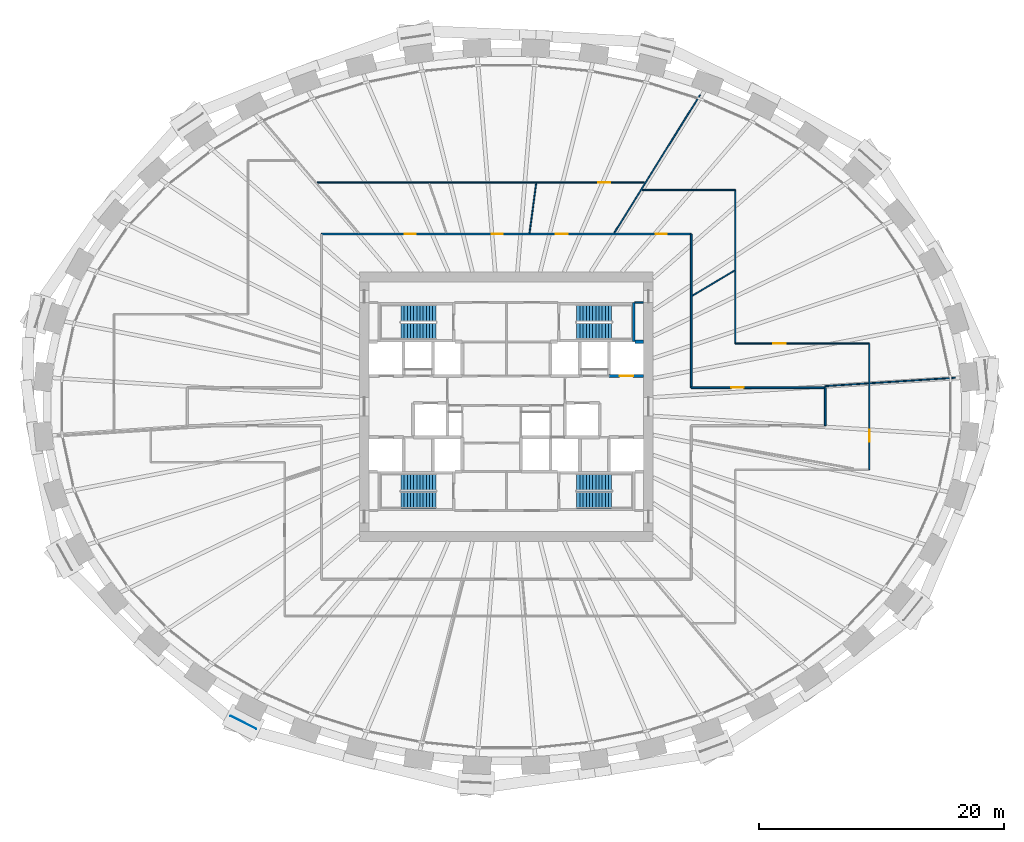
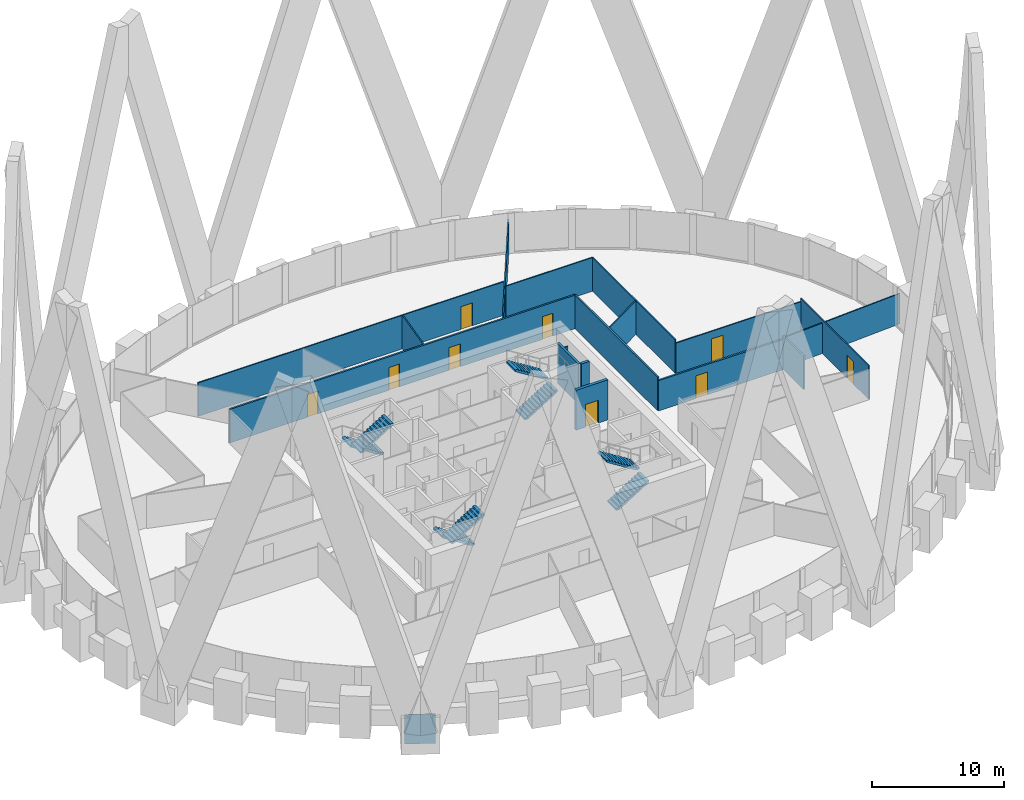
# One storey, part 10 of 12: 17 walls, 9 doors, 8 stair flights, 1 discrete accessory, 9 openings, 4 elements without a shape of their own.
"""IFC4 building model written with IfcOpenShell, lengths in metres."""

from ifc_helpers import new_model, si_unit, direction, frame, frame_2d, origin, origin_2d, place, context, subcontext, project, spatial, polyline, rectangle, outline, extrude, source, transform, mapped, material, layer, layer_set, type_object, element, fill, aggregate, save


model = new_model("IFC4")

# Units and contexts
model_context = context("Model", 3, precision=1e-05, world=origin(), true_north=direction((0.0, 1.0)))
body_context = subcontext(model_context, "Body", "Model", "MODEL_VIEW")
ifc_project = project(units=[si_unit("LENGTHUNIT", "METRE"), si_unit("AREAUNIT", "SQUARE_METRE"), si_unit("VOLUMEUNIT", "CUBIC_METRE"), si_unit("PLANEANGLEUNIT", "RADIAN"), si_unit("MASSUNIT", "GRAM", prefix="KILO")], contexts=[model_context])

# Site, building, storey
site_placement = place(None, origin())
site = spatial("IfcSite", under=ifc_project, at=site_placement, CompositionType="ELEMENT")
building_placement = place(site_placement, origin())
building = spatial("IfcBuilding", under=site, at=building_placement, Name="Embergate Tower", CompositionType="ELEMENT")
storey_placement = place(building_placement, frame((0.0, 0.0, 159.89990234375)))
storey = spatial("IfcBuildingStorey", under=building, at=storey_placement, Name="L35", CompositionType="ELEMENT", Elevation=159.89990234375)

# Wall, opening, door
ifc_material_1 = material(Name="Corridor wall dry-lined 150")
ifc_layer_1 = layer(ifc_material_1, 0.14990234375)
ifc_layer_set_1 = layer_set([ifc_layer_1], Name="Corridor wall dry-lined 150")
wall_type_1 = type_object("IfcWallType", Name="Corridor wall dry-lined 150", PredefinedType="PARTITIONING", material=ifc_layer_set_1)
shared_shape_1 = source(origin(), body_context, "Body", "SweptSolid", [
    extrude(rectangle(XDim=10.949951171875, YDim=0.14990234375, at=frame_2d((5.47509765625, 0.0))), origin(), (0.0, 0.0, 1.0), 2.800048828125),
])
wall_1_placement = place(storey_placement, frame((26.050048828125, 1.550048828125, 0.0), z_axis=(0.0, 0.0, 1.0), x_axis=(-1.0, 0.0, 0.0)))
wall_1 = element("IfcWall", 1, at=wall_1_placement, inside=storey, type_object=wall_type_1, Name="IP-2 wall", PredefinedType="PARTITIONING", context=body_context, shape_type="MappedRepresentation", body=[
    mapped(shared_shape_1, transform((0.0, 0.0, 0.0))),
])
shared_shape_2 = source(origin(), body_context, "Body", "SweptSolid", [
    extrude(rectangle(XDim=1.0, YDim=2.10009765625, at=frame_2d((0.5, 1.050048828125))), frame((0.0, 0.0849609375, 0.0), z_axis=(0.0, -1.0, 0.0), x_axis=(1.0, 0.0, 0.0)), (0.0, 0.0, 1.0), 0.169921875),
])
opening_1_placement = place(wall_1_placement, frame((6.6708984375, 0.0, 0.0)))
opening_1 = element("IfcOpeningElement", 2, at=opening_1_placement, cuts=wall_1, Name="Opening ID-2", PredefinedType="OPENING", context=body_context, shape_type="MappedRepresentation", body=[
    mapped(shared_shape_2, transform((0.0, 0.0, 0.0))),
])
ifc_material_2 = material(Name="Interior door 1000")
door_type_1 = type_object("IfcDoorType", Name="Interior door 1000", OperationType="SINGLE_SWING_LEFT", PredefinedType="DOOR", material=ifc_material_2)
shared_shape_3 = source(origin(), body_context, "Body", "SweptSolid", [
    extrude(rectangle(XDim=1.0, YDim=2.10009765625, at=frame_2d((0.5, 1.050048828125))), frame((0.0, 0.02490234375, 0.0), z_axis=(0.0, -1.0, 0.0), x_axis=(1.0, 0.0, 0.0)), (0.0, 0.0, 1.0), 0.050048828125),
])
door_1_placement = place(opening_1_placement, origin())
door_1 = element("IfcDoor", 3, at=door_1_placement, inside=storey, type_object=door_type_1, Name="ID-2 door", OperationType="SINGLE_SWING_RIGHT", OverallHeight=2.10009765625, OverallWidth=1.0, PredefinedType="DOOR", context=body_context, shape_type="MappedRepresentation", body=[
    mapped(shared_shape_3, transform((0.0, 0.0, 0.0))),
])
fill(opening_1, door_1)

ifc_material_3 = material(Name="Partition dry-lined 100")
ifc_layer_2 = layer(ifc_material_3, 0.10009765625)
ifc_layer_set_2 = layer_set([ifc_layer_2], Name="Partition dry-lined 100")
wall_type_2 = type_object("IfcWallType", Name="Partition dry-lined 100", PredefinedType="PARTITIONING", material=ifc_layer_set_2)
shared_shape_4 = source(origin(), body_context, "Body", "SweptSolid", [
    extrude(rectangle(XDim=10.949951171875, YDim=0.10009765625, at=frame_2d((5.47509765625, 0.0))), origin(), (0.0, 0.0, 1.0), 2.800048828125),
])
wall_2_placement = place(storey_placement, frame((29.64990234375, 5.14990234375, 0.0), z_axis=(0.0, 0.0, 1.0), x_axis=(-1.0, 0.0, 0.0)))
wall_2 = element("IfcWall", 4, at=wall_2_placement, inside=storey, type_object=wall_type_2, Name="IP-1 wall", PredefinedType="PARTITIONING", context=body_context, shape_type="MappedRepresentation", body=[
    mapped(shared_shape_4, transform((0.0, 0.0, 0.0))),
])
shared_shape_5 = source(origin(), body_context, "Body", "SweptSolid", [
    extrude(rectangle(XDim=1.0, YDim=2.10009765625, at=frame_2d((0.5, 1.050048828125))), frame((0.0, 0.06005859375, 0.0), z_axis=(0.0, -1.0, 0.0), x_axis=(1.0, 0.0, 0.0)), (0.0, 0.0, 1.0), 0.1201171875),
])
opening_2_placement = place(wall_2_placement, frame((6.844970703125, 0.0, 0.0)))
opening_2 = element("IfcOpeningElement", 5, at=opening_2_placement, cuts=wall_2, Name="Opening ID-2", PredefinedType="OPENING", context=body_context, shape_type="MappedRepresentation", body=[
    mapped(shared_shape_5, transform((0.0, 0.0, 0.0))),
])
door_2_placement = place(opening_2_placement, origin())
door_2 = element("IfcDoor", 6, at=door_2_placement, inside=storey, type_object=door_type_1, Name="ID-2 door", OperationType="SINGLE_SWING_RIGHT", OverallHeight=2.10009765625, OverallWidth=1.0, PredefinedType="DOOR", context=body_context, shape_type="MappedRepresentation", body=[
    mapped(shared_shape_3, transform((0.0, 0.0, 0.0))),
])
fill(opening_2, door_2)

# Wall
ifc_material_4 = material(Name="Core partition blockwork 120")
ifc_layer_3 = layer(ifc_material_4, 0.1201171875)
ifc_layer_set_3 = layer_set([ifc_layer_3], Name="Core partition blockwork 120")
wall_type_3 = type_object("IfcWallType", Name="Core partition blockwork 120", PredefinedType="PARTITIONING", material=ifc_layer_set_3)
shared_shape_6 = source(origin(), body_context, "Body", "SweptSolid", [
    extrude(rectangle(XDim=0.697998046875, YDim=0.1201171875, at=frame_2d((0.34912109375, 0.0))), origin(), (0.0, 0.0, 1.0), 3.10009765625),
])
wall_3_placement = place(storey_placement, frame((10.501953125, 8.5, 0.0), z_axis=(0.0, 0.0, 1.0), x_axis=(1.0, 0.0, 0.0)))
element("IfcWall", 7, at=wall_3_placement, inside=storey, type_object=wall_type_3, Name="IP-3 wall", PredefinedType="PARTITIONING", context=body_context, shape_type="MappedRepresentation", body=[
    mapped(shared_shape_6, transform((0.0, 0.0, 0.0))),
])

# Wall, opening, door
ifc_material_5 = material(Name="Concrete C50", Category="concrete")
ifc_layer_4 = layer(ifc_material_5, 0.25)
ifc_layer_set_4 = layer_set([ifc_layer_4], Name="Concrete C50")
wall_type_4 = type_object("IfcWallType", Name="Hoistway wall reinforced concrete 250", PredefinedType="SHEAR", material=ifc_layer_set_4)
shared_shape_7 = source(origin(), body_context, "Body", "SweptSolid", [
    extrude(rectangle(XDim=2.800048828125, YDim=0.25, at=frame_2d((1.39990234375, 0.0))), origin(), (0.0, 0.0, 1.0), 3.7001953125),
])
wall_4_placement = place(storey_placement, frame((8.39990234375, 2.5, 0.0), z_axis=(0.0, 0.0, 1.0), x_axis=(1.0, 0.0, 0.0)))
wall_4 = element("IfcWall", 8, at=wall_4_placement, inside=storey, type_object=wall_type_4, Name="HW-1 wall", PredefinedType="SHEAR", context=body_context, shape_type="MappedRepresentation", body=[
    mapped(shared_shape_7, transform((0.0, 0.0, 0.0))),
])
shared_shape_8 = source(origin(), body_context, "Body", "SweptSolid", [
    extrude(rectangle(XDim=1.10009765625, YDim=2.10009765625, at=frame_2d((0.550048828125, 1.050048828125))), frame((0.0, 0.135009765625, 0.0), z_axis=(0.0, -1.0, 0.0), x_axis=(1.0, 0.0, 0.0)), (0.0, 0.0, 1.0), 0.27001953125),
])
opening_3_placement = place(wall_4_placement, frame((0.85009765625, 0.0, 0.0)))
opening_3 = element("IfcOpeningElement", 9, at=opening_3_placement, cuts=wall_4, Name="Opening LD", PredefinedType="OPENING", context=body_context, shape_type="MappedRepresentation", body=[
    mapped(shared_shape_8, transform((0.0, 0.0, 0.0))),
])
ifc_material_6 = material(Name="Landing door sliding 1100")
door_type_2 = type_object("IfcDoorType", Name="Landing door sliding 1100", OperationType="SLIDING_TO_LEFT", PredefinedType="DOOR", material=ifc_material_6)
shared_shape_9 = source(origin(), body_context, "Body", "SweptSolid", [
    extrude(rectangle(XDim=1.10009765625, YDim=2.10009765625, at=frame_2d((0.550048828125, 1.050048828125))), frame((0.0, 0.02490234375, 0.0), z_axis=(0.0, -1.0, 0.0), x_axis=(1.0, 0.0, 0.0)), (0.0, 0.0, 1.0), 0.050048828125),
])
door_3_placement = place(opening_3_placement, origin())
door_3 = element("IfcDoor", 10, at=door_3_placement, inside=storey, type_object=door_type_2, Name="LD door", OperationType="SLIDING_TO_LEFT", OverallHeight=2.10009765625, OverallWidth=1.10009765625, PredefinedType="DOOR", context=body_context, shape_type="MappedRepresentation", body=[
    mapped(shared_shape_9, transform((0.0, 0.0, 0.0))),
])
fill(opening_3, door_3)

# Walls
ifc_layer_5 = layer(ifc_material_5, 0.199951171875)
ifc_layer_set_5 = layer_set([ifc_layer_5], Name="Concrete C50")
wall_type_5 = type_object("IfcWallType", Name="Stair enclosure wall reinforced concrete 250", PredefinedType="SHEAR", material=ifc_layer_set_5)
shared_shape_10 = source(origin(), body_context, "Body", "SweptSolid", [
    extrude(rectangle(XDim=3.196044921875, YDim=0.199951171875, at=frame_2d((1.59814453125, 0.0))), origin(), (0.0, 0.0, 1.0), 3.7001953125),
])
wall_5_placement = place(storey_placement, frame((10.39990234375, 5.302001953125, 0.0), z_axis=(0.0, 0.0, 1.0), x_axis=(0.0, 1.0, 0.0)))
element("IfcWall", 11, at=wall_5_placement, inside=storey, type_object=wall_type_5, Name="SE-1 wall", PredefinedType="SHEAR", context=body_context, shape_type="MappedRepresentation", body=[
    mapped(shared_shape_10, transform((0.0, 0.0, 0.0))),
])
shared_shape_11 = source(origin(), body_context, "Body", "SweptSolid", [
    extrude(rectangle(XDim=0.697998046875, YDim=0.25, at=frame_2d((0.34912109375, 0.0))), origin(), (0.0, 0.0, 1.0), 3.7001953125),
])
wall_6_placement = place(storey_placement, frame((11.199951171875, 5.300048828125, 0.0), z_axis=(0.0, 0.0, 1.0), x_axis=(-1.0, 0.0, 0.0)))
element("IfcWall", 12, at=wall_6_placement, inside=storey, type_object=wall_type_4, Name="HW-1 wall", PredefinedType="SHEAR", context=body_context, shape_type="MappedRepresentation", body=[
    mapped(shared_shape_11, transform((0.0, 0.0, 0.0))),
])
shared_shape_12 = source(origin(), body_context, "Body", "SweptSolid", [
    extrude(rectangle(XDim=12.550048828125, YDim=0.14990234375, at=frame_2d((6.27490234375, 0.0))), origin(), (0.0, 0.0, 1.0), 3.10009765625),
])
wall_7_placement = place(storey_placement, frame((15.10009765625, 1.550048828125, 0.0), z_axis=(0.0, 0.0, 1.0), x_axis=(0.0, 1.0, 0.0)))
element("IfcWall", 13, at=wall_7_placement, inside=storey, type_object=wall_type_1, Name="IP-2 wall", PredefinedType="PARTITIONING", context=body_context, shape_type="MappedRepresentation", body=[
    mapped(shared_shape_12, transform((0.0, 0.0, 0.0))),
])

# Wall, openings, doors
shared_shape_13 = source(origin(), body_context, "Body", "SweptSolid", [
    extrude(rectangle(XDim=30.2001953125, YDim=0.14990234375, at=frame_2d((15.10009765625, 0.0))), origin(), (0.0, 0.0, 1.0), 3.10009765625),
])
wall_8_placement = place(storey_placement, frame((-15.10009765625, 14.10009765625, 0.0), z_axis=(0.0, 0.0, 1.0), x_axis=(1.0, 0.0, 0.0)))
wall_8 = element("IfcWall", 14, at=wall_8_placement, inside=storey, type_object=wall_type_1, Name="IP-2 wall", PredefinedType="PARTITIONING", context=body_context, shape_type="MappedRepresentation", body=[
    mapped(shared_shape_13, transform((0.0, 0.0, 0.0))),
])
shared_shape_14 = source(origin(), body_context, "Body", "SweptSolid", [
    extrude(rectangle(XDim=0.89990234375, YDim=2.10009765625, at=frame_2d((0.449951171875, 1.050048828125))), frame((0.0, 0.0849609375, 0.0), z_axis=(0.0, -1.0, 0.0), x_axis=(1.0, 0.0, 0.0)), (0.0, 0.0, 1.0), 0.169921875),
])
opening_4_placement = place(wall_8_placement, frame((27.306884765625, 0.0, 0.0)))
opening_4 = element("IfcOpeningElement", 15, at=opening_4_placement, cuts=wall_8, Name="Opening IF-1c", PredefinedType="OPENING", context=body_context, shape_type="MappedRepresentation", body=[
    mapped(shared_shape_14, transform((0.0, 0.0, 0.0))),
])
opening_5_placement = place(wall_8_placement, frame((19.132080078125, 0.0, 0.0)))
opening_5 = element("IfcOpeningElement", 16, at=opening_5_placement, cuts=wall_8, Name="Opening ID-2", PredefinedType="OPENING", context=body_context, shape_type="MappedRepresentation", body=[
    mapped(shared_shape_2, transform((0.0, 0.0, 0.0))),
])
opening_6_placement = place(wall_8_placement, frame((13.89599609375, 0.0, 0.0)))
opening_6 = element("IfcOpeningElement", 17, at=opening_6_placement, cuts=wall_8, Name="Opening IF-1c", PredefinedType="OPENING", context=body_context, shape_type="MappedRepresentation", body=[
    mapped(shared_shape_14, transform((0.0, 0.0, 0.0))),
])
opening_7_placement = place(wall_8_placement, frame((6.791015625, 0.0, 0.0)))
opening_7 = element("IfcOpeningElement", 18, at=opening_7_placement, cuts=wall_8, Name="Opening IF-1c", PredefinedType="OPENING", context=body_context, shape_type="MappedRepresentation", body=[
    mapped(shared_shape_14, transform((0.0, 0.0, 0.0))),
])
ifc_material_7 = material(Name="Escape fire door 900")
door_type_3 = type_object("IfcDoorType", Name="Escape fire door 900", OperationType="SINGLE_SWING_LEFT", PredefinedType="DOOR", material=ifc_material_7)
shared_shape_15 = source(origin(), body_context, "Body", "SweptSolid", [
    extrude(rectangle(XDim=0.89990234375, YDim=2.10009765625, at=frame_2d((0.449951171875, 1.050048828125))), frame((0.0, 0.02490234375, 0.0), z_axis=(0.0, -1.0, 0.0), x_axis=(1.0, 0.0, 0.0)), (0.0, 0.0, 1.0), 0.050048828125),
])
door_4_placement = place(opening_4_placement, origin())
door_4 = element("IfcDoor", 19, at=door_4_placement, inside=storey, type_object=door_type_3, Name="IF-1 door", OperationType="SINGLE_SWING_RIGHT", OverallHeight=2.10009765625, OverallWidth=0.89990234375, PredefinedType="DOOR", context=body_context, shape_type="MappedRepresentation", body=[
    mapped(shared_shape_15, transform((0.0, 0.0, 0.0))),
])
fill(opening_4, door_4)
door_5_placement = place(opening_6_placement, origin())
door_5 = element("IfcDoor", 20, at=door_5_placement, inside=storey, type_object=door_type_3, Name="IF-1 door", OperationType="SINGLE_SWING_RIGHT", OverallHeight=2.10009765625, OverallWidth=0.89990234375, PredefinedType="DOOR", context=body_context, shape_type="MappedRepresentation", body=[
    mapped(shared_shape_15, transform((0.0, 0.0, 0.0))),
])
fill(opening_6, door_5)
door_6_placement = place(opening_7_placement, origin())
door_6 = element("IfcDoor", 21, at=door_6_placement, inside=storey, type_object=door_type_3, Name="IF-1 door", OperationType="SINGLE_SWING_LEFT", OverallHeight=2.10009765625, OverallWidth=0.89990234375, PredefinedType="DOOR", context=body_context, shape_type="MappedRepresentation", body=[
    mapped(shared_shape_15, transform((0.0, 0.0, 0.0))),
])
fill(opening_7, door_6)
door_7_placement = place(opening_5_placement, origin())
door_7 = element("IfcDoor", 22, at=door_7_placement, inside=storey, type_object=door_type_1, Name="ID-2 door", OperationType="SINGLE_SWING_RIGHT", OverallHeight=2.10009765625, OverallWidth=1.0, PredefinedType="DOOR", context=body_context, shape_type="MappedRepresentation", body=[
    mapped(shared_shape_3, transform((0.0, 0.0, 0.0))),
])
fill(opening_5, door_7)

# Walls
shared_shape_16 = source(origin(), body_context, "Body", "SweptSolid", [
    extrude(rectangle(XDim=3.10009765625, YDim=0.14990234375, at=frame_2d((1.550048828125, 0.0))), origin(), (0.0, 0.0, 1.0), 3.10009765625),
])
wall_9_placement = place(storey_placement, frame((26.050048828125, -1.550048828125, 0.0), z_axis=(0.0, 0.0, 1.0), x_axis=(0.0, 1.0, 0.0)))
element("IfcWall", 23, at=wall_9_placement, inside=storey, type_object=wall_type_1, Name="IP-2 wall", PredefinedType="PARTITIONING", context=body_context, shape_type="MappedRepresentation", body=[
    mapped(shared_shape_16, transform((0.0, 0.0, 0.0))),
])
shared_shape_17 = source(origin(), body_context, "Body", "SweptSolid", [
    extrude(rectangle(XDim=10.660888671875, YDim=0.10009765625, at=frame_2d((5.33056640625, 0.0))), origin(), (0.0, 0.0, 1.0), 2.800048828125),
])
wall_10_placement = place(storey_placement, frame((26.027099609375, 1.675048828125, 0.0), z_axis=(0.0, 0.0, 1.0), x_axis=(0.997933274946, 0.064258686222, 0.0)))
element("IfcWall", 24, at=wall_10_placement, inside=storey, type_object=wall_type_2, Name="IP-1 wall", PredefinedType="PARTITIONING", context=body_context, shape_type="MappedRepresentation", body=[
    mapped(shared_shape_17, transform((0.0, 0.0, 0.0))),
])
shared_shape_18 = source(origin(), body_context, "Body", "SweptSolid", [
    extrude(rectangle(XDim=12.550048828125, YDim=0.10009765625, at=frame_2d((6.27490234375, 0.0))), origin(), (0.0, 0.0, 1.0), 3.10009765625),
])
wall_11_placement = place(storey_placement, frame((18.699951171875, 5.14990234375, 0.0), z_axis=(0.0, 0.0, 1.0), x_axis=(0.0, 1.0, 0.0)))
element("IfcWall", 25, at=wall_11_placement, inside=storey, type_object=wall_type_2, Name="IP-1 wall", PredefinedType="PARTITIONING", context=body_context, shape_type="MappedRepresentation", body=[
    mapped(shared_shape_18, transform((0.0, 0.0, 0.0))),
])

# Wall, opening, door
shared_shape_19 = source(origin(), body_context, "Body", "SweptSolid", [
    extrude(rectangle(XDim=10.2998046875, YDim=0.10009765625, at=frame_2d((5.14990234375, 0.0))), origin(), (0.0, 0.0, 1.0), 3.10009765625),
])
wall_12_placement = place(storey_placement, frame((29.64990234375, 5.14990234375, 0.0), z_axis=(0.0, 0.0, 1.0), x_axis=(0.0, -1.0, 0.0)))
wall_12 = element("IfcWall", 26, at=wall_12_placement, inside=storey, type_object=wall_type_2, Name="IP-1 wall", PredefinedType="PARTITIONING", context=body_context, shape_type="MappedRepresentation", body=[
    mapped(shared_shape_19, transform((0.0, 0.0, 0.0))),
])
opening_8_placement = place(wall_12_placement, frame((7.034912109375, 0.0, 0.0)))
opening_8 = element("IfcOpeningElement", 27, at=opening_8_placement, cuts=wall_12, Name="Opening ID-2", PredefinedType="OPENING", context=body_context, shape_type="MappedRepresentation", body=[
    mapped(shared_shape_5, transform((0.0, 0.0, 0.0))),
])
door_8_placement = place(opening_8_placement, origin())
door_8 = element("IfcDoor", 28, at=door_8_placement, inside=storey, type_object=door_type_1, Name="ID-2 door", OperationType="SINGLE_SWING_RIGHT", OverallHeight=2.10009765625, OverallWidth=1.0, PredefinedType="DOOR", context=body_context, shape_type="MappedRepresentation", body=[
    mapped(shared_shape_3, transform((0.0, 0.0, 0.0))),
])
fill(opening_8, door_8)

# Walls
shared_shape_20 = source(origin(), body_context, "Body", "SweptSolid", [
    extrude(rectangle(XDim=3.986328125, YDim=0.10009765625, at=frame_2d((1.9931640625, 0.0))), origin(), (0.0, 0.0, 1.0), 3.10009765625),
])
wall_13_placement = place(storey_placement, frame((15.200927734375, 9.071044921875, 0.0), z_axis=(0.0, 0.0, 1.0), x_axis=(0.858695630282, 0.512485916425, 0.0)))
element("IfcWall", 29, at=wall_13_placement, inside=storey, type_object=wall_type_2, Name="IP-1 wall", PredefinedType="PARTITIONING", context=body_context, shape_type="MappedRepresentation", body=[
    mapped(shared_shape_20, transform((0.0, 0.0, 0.0))),
])
shared_shape_21 = source(origin(), body_context, "Body", "SweptSolid", [
    extrude(rectangle(XDim=7.61083984375, YDim=0.10009765625, at=frame_2d((3.805419921875, 0.0))), origin(), (0.0, 0.0, 1.0), 3.10009765625),
])
wall_14_placement = place(storey_placement, frame((11.089111328125, 17.699951171875, 0.0), z_axis=(0.0, 0.0, 1.0), x_axis=(1.0, 0.0, 0.0)))
element("IfcWall", 30, at=wall_14_placement, inside=storey, type_object=wall_type_2, Name="IP-1 wall", PredefinedType="PARTITIONING", context=body_context, shape_type="MappedRepresentation", body=[
    mapped(shared_shape_21, transform((0.0, 0.0, 0.0))),
])
shared_shape_22 = source(origin(), body_context, "Body", "SweptSolid", [
    extrude(rectangle(XDim=4.09716796875, YDim=0.10009765625, at=frame_2d((2.048583984375, 0.0))), origin(), (0.0, 0.0, 1.0), 3.10009765625),
])
wall_15_placement = place(storey_placement, frame((1.89697265625, 14.181884765625, 0.0), z_axis=(0.0, 0.0, 1.0), x_axis=(0.1325227982, 0.991179957403, 0.0)))
element("IfcWall", 31, at=wall_15_placement, inside=storey, type_object=wall_type_2, Name="IP-1 wall", PredefinedType="PARTITIONING", context=body_context, shape_type="MappedRepresentation", body=[
    mapped(shared_shape_22, transform((0.0, 0.0, 0.0))),
])

# Wall, opening, door
shared_shape_23 = source(origin(), body_context, "Body", "SweptSolid", [
    extrude(rectangle(XDim=26.718994140625, YDim=0.10009765625, at=frame_2d((13.359375, 0.0))), origin(), (0.0, 0.0, 1.0), 3.10009765625),
])
wall_16_placement = place(storey_placement, frame((-15.43701171875, 18.300048828125, 0.0), z_axis=(0.0, 0.0, 1.0), x_axis=(1.0, 0.0, 0.0)))
wall_16 = element("IfcWall", 32, at=wall_16_placement, inside=storey, type_object=wall_type_2, Name="IP-1 wall", PredefinedType="PARTITIONING", context=body_context, shape_type="MappedRepresentation", body=[
    mapped(shared_shape_23, transform((0.0, 0.0, 0.0))),
])
opening_9_placement = place(wall_16_placement, frame((22.9453125, 0.0, 0.0)))
opening_9 = element("IfcOpeningElement", 33, at=opening_9_placement, cuts=wall_16, Name="Opening ID-2", PredefinedType="OPENING", context=body_context, shape_type="MappedRepresentation", body=[
    mapped(shared_shape_5, transform((0.0, 0.0, 0.0))),
])
door_9_placement = place(opening_9_placement, origin())
door_9 = element("IfcDoor", 34, at=door_9_placement, inside=storey, type_object=door_type_1, Name="ID-2 door", OperationType="SINGLE_SWING_LEFT", OverallHeight=2.10009765625, OverallWidth=1.0, PredefinedType="DOOR", context=body_context, shape_type="MappedRepresentation", body=[
    mapped(shared_shape_3, transform((0.0, 0.0, 0.0))),
])
fill(opening_9, door_9)

# Wall
shared_shape_24 = source(origin(), body_context, "Body", "SweptSolid", [
    extrude(rectangle(XDim=13.261962890625, YDim=0.10009765625, at=frame_2d((6.630859375, 0.0))), origin(), (0.0, 0.0, 1.0), 2.900146484375),
])
wall_17_placement = place(storey_placement, frame((8.824951171875, 14.200927734375, 0.0), z_axis=(0.0, 0.0, 1.0), x_axis=(0.527822867261, 0.849354472995, 0.0)))
element("IfcWall", 35, at=wall_17_placement, inside=storey, type_object=wall_type_2, Name="IP-1 wall", PredefinedType="PARTITIONING", context=body_context, shape_type="MappedRepresentation", body=[
    mapped(shared_shape_24, transform((0.0, 0.0, 0.0))),
])

# Stair, stair flights
ifc_material_8 = material(Name="Exit stair")
stair_type = type_object("IfcStairType", Name="Exit stair", PredefinedType="HALF_TURN_STAIR", material=ifc_material_8)
stair_1_placement = place(storey_placement, origin())
stair_1 = element("IfcStair", 36, at=stair_1_placement, inside=storey, type_object=stair_type, Name="L35 Exit stair 1", PredefinedType="HALF_TURN_STAIR")
ifc_material_9 = material(Name="Concrete C40", Category="concrete")
stair_flight_type = type_object("IfcStairFlightType", Name="Stair flight reinforced concrete", PredefinedType="STRAIGHT", material=ifc_material_9)
shared_shape_25 = source(origin(), body_context, "Body", "SweptSolid", [
    extrude(outline(polyline([(0.0, 0.0), (0.0, 0.16259765625), (0.260009765625, 0.16259765625), (0.260009765625, 0.324951171875), (0.52001953125, 0.324951171875), (0.52001953125, 0.487548828125), (0.780029296875, 0.487548828125), (0.780029296875, 0.64990234375), (1.0400390625, 0.64990234375), (1.0400390625, 0.8125), (1.300048828125, 0.8125), (1.300048828125, 0.97509765625), (1.56005859375, 0.97509765625), (1.56005859375, 1.137451171875), (1.820068359375, 1.137451171875), (1.820068359375, 1.300048828125), (2.080078125, 1.300048828125), (2.080078125, 1.46240234375), (2.340087890625, 1.46240234375), (2.340087890625, 1.625), (2.60009765625, 1.625), (2.60009765625, 1.78759765625), (2.860107421875, 1.78759765625), (2.860107421875, 1.949951171875), (2.860107421875, 1.61083984375), (0.28271484375, 0.0), (0.0, 0.0)])), frame((0.0, 0.675048828125, 0.0), z_axis=(0.0, -1.0, 0.0), x_axis=(1.0, 0.0, 0.0)), (0.0, 0.0, 1.0), 1.35009765625),
])
stair_flight_1_placement = place(storey_placement, frame((-5.75, 7.625, 0.0), z_axis=(0.0, 0.0, 1.0), x_axis=(-1.0, 0.0, 0.0)))
stair_flight_1 = element("IfcStairFlight", 37, at=stair_flight_1_placement, type_object=stair_flight_type, Name="ST1 flight 1", NumberOfRisers=12, NumberOfTreads=11, PredefinedType="STRAIGHT", RiserHeight=0.1625, TreadLength=0.26, context=body_context, shape_type="MappedRepresentation", body=[
    mapped(shared_shape_25, transform((0.0, 0.0, 0.0))),
])
stair_flight_2_placement = place(storey_placement, frame((-8.610107421875, 6.175048828125, 1.9501953125), z_axis=(0.0, 0.0, 1.0), x_axis=(1.0, 0.0, 0.0)))
stair_flight_2 = element("IfcStairFlight", 38, at=stair_flight_2_placement, type_object=stair_flight_type, Name="ST1 flight 2", NumberOfRisers=12, NumberOfTreads=11, PredefinedType="STRAIGHT", RiserHeight=0.1625, TreadLength=0.26, context=body_context, shape_type="MappedRepresentation", body=[
    mapped(shared_shape_25, transform((0.0, 0.0, 0.0))),
])
aggregate(stair_1, [stair_flight_1, stair_flight_2])

stair_2_placement = place(storey_placement, origin())
stair_2 = element("IfcStair", 39, at=stair_2_placement, inside=storey, type_object=stair_type, Name="L35 Exit stair 2", PredefinedType="HALF_TURN_STAIR")
stair_flight_3_placement = place(storey_placement, frame((5.75, 6.175048828125, 0.0), z_axis=(0.0, 0.0, 1.0), x_axis=(1.0, 0.0, 0.0)))
stair_flight_3 = element("IfcStairFlight", 40, at=stair_flight_3_placement, type_object=stair_flight_type, Name="ST2 flight 1", NumberOfRisers=12, NumberOfTreads=11, PredefinedType="STRAIGHT", RiserHeight=0.1625, TreadLength=0.26, context=body_context, shape_type="MappedRepresentation", body=[
    mapped(shared_shape_25, transform((0.0, 0.0, 0.0))),
])
stair_flight_4_placement = place(storey_placement, frame((8.610107421875, 7.625, 1.9501953125), z_axis=(0.0, 0.0, 1.0), x_axis=(-1.0, 0.0, 0.0)))
stair_flight_4 = element("IfcStairFlight", 41, at=stair_flight_4_placement, type_object=stair_flight_type, Name="ST2 flight 2", NumberOfRisers=12, NumberOfTreads=11, PredefinedType="STRAIGHT", RiserHeight=0.1625, TreadLength=0.26, context=body_context, shape_type="MappedRepresentation", body=[
    mapped(shared_shape_25, transform((0.0, 0.0, 0.0))),
])
aggregate(stair_2, [stair_flight_3, stair_flight_4])

stair_3_placement = place(storey_placement, origin())
stair_3 = element("IfcStair", 42, at=stair_3_placement, inside=storey, type_object=stair_type, Name="L35 Exit stair 3", PredefinedType="HALF_TURN_STAIR")
stair_flight_5_placement = place(storey_placement, frame((-5.75, -6.175048828125, 0.0), z_axis=(0.0, 0.0, 1.0), x_axis=(-1.0, 0.0, 0.0)))
stair_flight_5 = element("IfcStairFlight", 43, at=stair_flight_5_placement, type_object=stair_flight_type, Name="ST3 flight 1", NumberOfRisers=12, NumberOfTreads=11, PredefinedType="STRAIGHT", RiserHeight=0.1625, TreadLength=0.26, context=body_context, shape_type="MappedRepresentation", body=[
    mapped(shared_shape_25, transform((0.0, 0.0, 0.0))),
])
stair_flight_6_placement = place(storey_placement, frame((-8.610107421875, -7.625, 1.9501953125), z_axis=(0.0, 0.0, 1.0), x_axis=(1.0, 0.0, 0.0)))
stair_flight_6 = element("IfcStairFlight", 44, at=stair_flight_6_placement, type_object=stair_flight_type, Name="ST3 flight 2", NumberOfRisers=12, NumberOfTreads=11, PredefinedType="STRAIGHT", RiserHeight=0.1625, TreadLength=0.26, context=body_context, shape_type="MappedRepresentation", body=[
    mapped(shared_shape_25, transform((0.0, 0.0, 0.0))),
])
aggregate(stair_3, [stair_flight_5, stair_flight_6])

stair_4_placement = place(storey_placement, origin())
stair_4 = element("IfcStair", 45, at=stair_4_placement, inside=storey, type_object=stair_type, Name="L35 Exit stair 4", PredefinedType="HALF_TURN_STAIR")
stair_flight_7_placement = place(storey_placement, frame((5.75, -7.625, 0.0), z_axis=(0.0, 0.0, 1.0), x_axis=(1.0, 0.0, 0.0)))
stair_flight_7 = element("IfcStairFlight", 46, at=stair_flight_7_placement, type_object=stair_flight_type, Name="ST4 flight 1", NumberOfRisers=12, NumberOfTreads=11, PredefinedType="STRAIGHT", RiserHeight=0.1625, TreadLength=0.26, context=body_context, shape_type="MappedRepresentation", body=[
    mapped(shared_shape_25, transform((0.0, 0.0, 0.0))),
])
stair_flight_8_placement = place(storey_placement, frame((8.610107421875, -6.175048828125, 1.9501953125), z_axis=(0.0, 0.0, 1.0), x_axis=(-1.0, 0.0, 0.0)))
stair_flight_8 = element("IfcStairFlight", 47, at=stair_flight_8_placement, type_object=stair_flight_type, Name="ST4 flight 2", NumberOfRisers=12, NumberOfTreads=11, PredefinedType="STRAIGHT", RiserHeight=0.1625, TreadLength=0.26, context=body_context, shape_type="MappedRepresentation", body=[
    mapped(shared_shape_25, transform((0.0, 0.0, 0.0))),
])
aggregate(stair_4, [stair_flight_7, stair_flight_8])

# Discrete accessory
ifc_material_10 = material(Name="Steel Q355D plate", Category="steel")
discrete_accessory_type = type_object("IfcDiscreteAccessoryType", Name="Lattice node plate", PredefinedType="USERDEFINED", material=ifc_material_10)
shared_shape_26 = source(origin(), body_context, "Body", "SweptSolid", [
    extrude(rectangle(XDim=2.360107421875, YDim=0.050048828125, at=origin_2d()), origin(), (0.0, 0.0, 1.0), 2.719970703125),
])
discrete_accessory_placement = place(storey_placement, frame((-21.47607421875, -25.791015625, -1.35986328125), z_axis=(0.0, 0.0, 1.0), x_axis=(0.891513080478, -0.452994952881, 0.0)))
element("IfcDiscreteAccessory", 48, at=discrete_accessory_placement, inside=storey, type_object=discrete_accessory_type, Name="Node plate", ObjectType="BRACKET", PredefinedType="USERDEFINED", context=body_context, shape_type="MappedRepresentation", body=[
    mapped(shared_shape_26, transform((0.0, 0.0, 0.0))),
])

save(model, "model.ifc")
